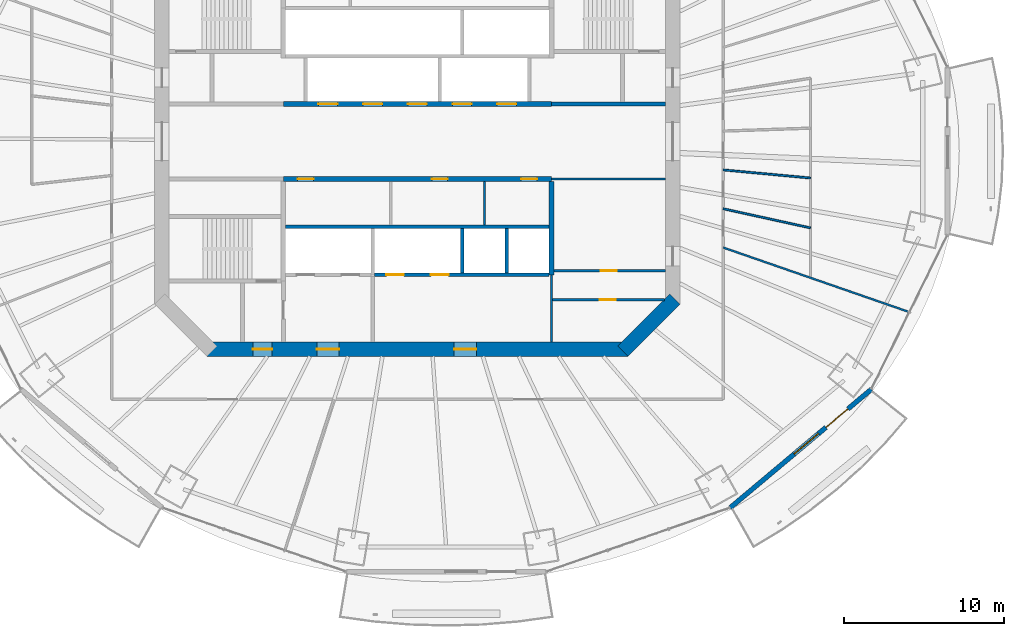
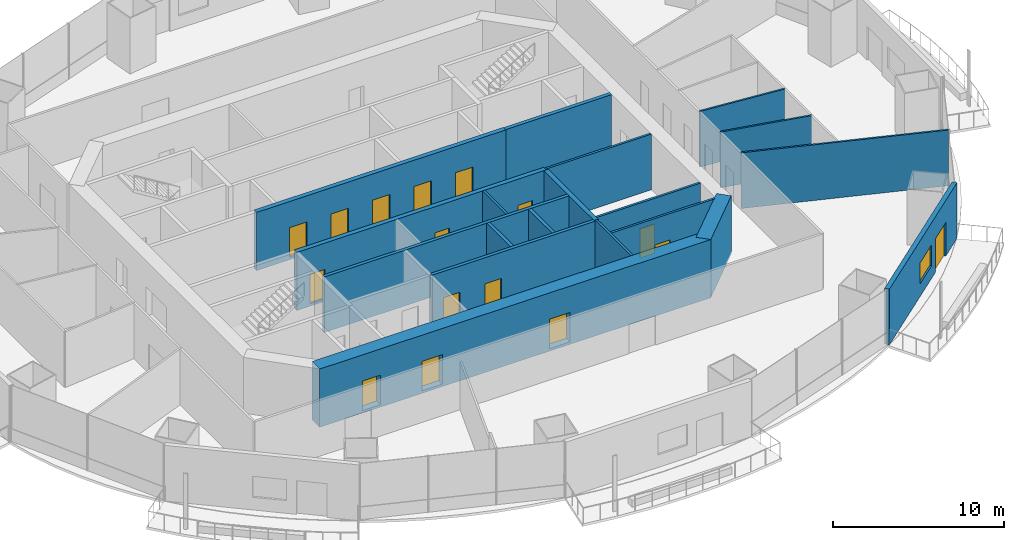
# One storey, part 12 of 20: 19 walls, 16 doors, 1 window, 17 openings.
"""IFC4 building model written with IfcOpenShell, lengths in metres."""

from ifc_helpers import new_model, si_unit, direction, frame, frame_2d, origin, place, context, subcontext, project, spatial, rectangle, extrude, material, layer, layer_set, type_object, element, fill, save


model = new_model("IFC4")

# Units and contexts
model_context = context("Model", 3, precision=1e-05, world=origin(), true_north=direction((0.0, 1.0)))
body_context = subcontext(model_context, "Body", "Model", "MODEL_VIEW")
ifc_project = project(units=[si_unit("LENGTHUNIT", "METRE"), si_unit("AREAUNIT", "SQUARE_METRE"), si_unit("VOLUMEUNIT", "CUBIC_METRE"), si_unit("PLANEANGLEUNIT", "RADIAN"), si_unit("MASSUNIT", "GRAM", prefix="KILO")], contexts=[model_context])

# Site, building, storey
site_placement = place(None, origin())
site = spatial("IfcSite", under=ifc_project, at=site_placement, CompositionType="ELEMENT")
building_placement = place(site_placement, origin())
building = spatial("IfcBuilding", under=site, at=building_placement, Name="Marenthal Gate Tower", CompositionType="ELEMENT")
storey_placement = place(building_placement, frame((0.0, 0.0, 185.949951171875)))
storey = spatial("IfcBuildingStorey", under=building, at=storey_placement, Name="L40", CompositionType="ELEMENT", Elevation=185.949951171875)

# Wall
ifc_material_1 = material(Name="Concrete 60 MPa", Category="concrete")
ifc_layer_1 = layer(ifc_material_1, 0.89990234375)
ifc_layer_set_1 = layer_set([ifc_layer_1], Name="Core shear wall 900")
wall_type_1 = type_object("IfcWallType", Name="Core shear wall 900", PredefinedType="SHEAR", material=ifc_layer_set_1)
wall_1_placement = place(storey_placement, frame((12.8681640625, -13.1318359375, -0.179931640625), z_axis=(0.0, 0.0, 1.0), x_axis=(0.707106781187, 0.707106781187, 0.0)))
element("IfcWall", 1, at=wall_1_placement, inside=storey, type_object=wall_type_1, Name="Core wall 01", PredefinedType="SHEAR", context=body_context, shape_type="SweptSolid", body=[
    extrude(rectangle(XDim=4.615478515625, YDim=0.89990234375, at=frame_2d((2.3076171875, 0.0))), origin(), (0.0, 0.0, 1.0), 4.14990234375),
])

# Wall, openings, doors
wall_2_placement = place(storey_placement, frame((-13.186279296875, -13.0, -0.179931640625), z_axis=(0.0, 0.0, 1.0), x_axis=(1.0, 0.0, 0.0)))
wall_2 = element("IfcWall", 2, at=wall_2_placement, inside=storey, type_object=wall_type_1, Name="Core wall 08", PredefinedType="SHEAR", context=body_context, shape_type="SweptSolid", body=[
    extrude(rectangle(XDim=26.37255859375, YDim=0.89990234375, at=frame_2d((13.186279296875, 0.0))), origin(), (0.0, 0.0, 1.0), 4.14990234375),
])
opening_1_placement = place(wall_2_placement, frame((2.886474609375, 0.0, 0.179931640625)))
opening_1 = element("IfcOpeningElement", 3, at=opening_1_placement, cuts=wall_2, Name="Opening D001.06", PredefinedType="OPENING", context=body_context, shape_type="SweptSolid", body=[
    extrude(rectangle(XDim=1.199951171875, YDim=2.10009765625, at=frame_2d((0.60009765625, 1.050048828125))), frame((0.0, 0.4599609375, 0.0), z_axis=(0.0, -1.0, 0.0), x_axis=(1.0, 0.0, 0.0)), (0.0, 0.0, 1.0), 0.919921875),
])
opening_2_placement = place(wall_2_placement, frame((6.886474609375, 0.0, 0.179931640625)))
opening_2 = element("IfcOpeningElement", 4, at=opening_2_placement, cuts=wall_2, Name="Opening D004.01", PredefinedType="OPENING", context=body_context, shape_type="SweptSolid", body=[
    extrude(rectangle(XDim=1.39990234375, YDim=2.10009765625, at=frame_2d((0.699951171875, 1.050048828125))), frame((0.0, 0.4599609375, 0.0), z_axis=(0.0, -1.0, 0.0), x_axis=(1.0, 0.0, 0.0)), (0.0, 0.0, 1.0), 0.919921875),
])
opening_3_placement = place(wall_2_placement, frame((15.486328125, 0.0, 0.179931640625)))
opening_3 = element("IfcOpeningElement", 5, at=opening_3_placement, cuts=wall_2, Name="Opening D004.02", PredefinedType="OPENING", context=body_context, shape_type="SweptSolid", body=[
    extrude(rectangle(XDim=1.39990234375, YDim=2.10009765625, at=frame_2d((0.699951171875, 1.050048828125))), frame((0.0, 0.4599609375, 0.0), z_axis=(0.0, -1.0, 0.0), x_axis=(1.0, 0.0, 0.0)), (0.0, 0.0, 1.0), 0.919921875),
])
ifc_material_2 = material(Name="Steel fire door", Category="steel")
door_type_1 = type_object("IfcDoorType", Name="Fire door FD 45 1400 x 2100", OperationType="NOTDEFINED", PredefinedType="DOOR", material=ifc_material_2)
door_1_placement = place(opening_2_placement, origin())
door_1 = element("IfcDoor", 6, at=door_1_placement, inside=storey, type_object=door_type_1, Name="Door D004.01", OperationType="SINGLE_SWING_RIGHT", OverallHeight=2.10009765625, OverallWidth=1.39990234375, PredefinedType="DOOR", context=body_context, shape_type="SweptSolid", body=[
    extrude(rectangle(XDim=1.39990234375, YDim=2.10009765625, at=frame_2d((0.699951171875, 1.050048828125))), frame((0.0, 0.02490234375, 0.0), z_axis=(0.0, -1.0, 0.0), x_axis=(1.0, 0.0, 0.0)), (0.0, 0.0, 1.0), 0.050048828125),
])
fill(opening_2, door_1)
door_2_placement = place(opening_3_placement, origin())
door_2 = element("IfcDoor", 7, at=door_2_placement, inside=storey, type_object=door_type_1, Name="Door D004.02", OperationType="SINGLE_SWING_RIGHT", OverallHeight=2.10009765625, OverallWidth=1.39990234375, PredefinedType="DOOR", context=body_context, shape_type="SweptSolid", body=[
    extrude(rectangle(XDim=1.39990234375, YDim=2.10009765625, at=frame_2d((0.699951171875, 1.050048828125))), frame((0.0, 0.02490234375, 0.0), z_axis=(0.0, -1.0, 0.0), x_axis=(1.0, 0.0, 0.0)), (0.0, 0.0, 1.0), 0.050048828125),
])
fill(opening_3, door_2)
ifc_material_3 = material(Name="Steel fire door", Category="steel")
door_type_2 = type_object("IfcDoorType", Name="Fire door FD 90 1200 x 2100", OperationType="NOTDEFINED", PredefinedType="DOOR", material=ifc_material_3)
door_3_placement = place(opening_1_placement, origin())
door_3 = element("IfcDoor", 8, at=door_3_placement, inside=storey, type_object=door_type_2, Name="Door D001.06", OperationType="SINGLE_SWING_RIGHT", OverallHeight=2.10009765625, OverallWidth=1.199951171875, PredefinedType="DOOR", context=body_context, shape_type="SweptSolid", body=[
    extrude(rectangle(XDim=1.199951171875, YDim=2.10009765625, at=frame_2d((0.60009765625, 1.050048828125))), frame((0.0, 0.02490234375, 0.0), z_axis=(0.0, -1.0, 0.0), x_axis=(1.0, 0.0, 0.0)), (0.0, 0.0, 1.0), 0.050048828125),
])
fill(opening_1, door_3)

ifc_material_4 = material(Name="Concrete 50 MPa", Category="concrete")
ifc_layer_2 = layer(ifc_material_4, 0.300048828125)
ifc_layer_set_2 = layer_set([ifc_layer_2], Name="Hoistway shear wall 300")
wall_type_2 = type_object("IfcWallType", Name="Hoistway shear wall 300", PredefinedType="SHEAR", material=ifc_layer_set_2)
wall_3_placement = place(storey_placement, frame((-8.39990234375, -2.35009765625, -0.179931640625), z_axis=(0.0, 0.0, 1.0), x_axis=(1.0, 0.0, 0.0)))
wall_3 = element("IfcWall", 9, at=wall_3_placement, inside=storey, type_object=wall_type_2, Name="Hoistway wall 17", PredefinedType="SHEAR", context=body_context, shape_type="SweptSolid", body=[
    extrude(rectangle(XDim=16.7998046875, YDim=0.300048828125, at=frame_2d((8.39990234375, 0.0))), origin(), (0.0, 0.0, 1.0), 4.14990234375),
])
opening_4_placement = place(wall_3_placement, frame((0.89990234375, 0.0, 0.179931640625)))
opening_4 = element("IfcOpeningElement", 10, at=opening_4_placement, cuts=wall_3, Name="Opening D005.01", PredefinedType="OPENING", context=body_context, shape_type="SweptSolid", body=[
    extrude(rectangle(XDim=1.0, YDim=2.10009765625, at=frame_2d((0.5, 1.050048828125))), frame((0.0, 0.16015625, 0.0), z_axis=(0.0, -1.0, 0.0), x_axis=(1.0, 0.0, 0.0)), (0.0, 0.0, 1.0), 0.320068359375),
])
opening_5_placement = place(wall_3_placement, frame((9.300048828125, 0.0, 0.179931640625)))
opening_5 = element("IfcOpeningElement", 11, at=opening_5_placement, cuts=wall_3, Name="Opening D005.02", PredefinedType="OPENING", context=body_context, shape_type="SweptSolid", body=[
    extrude(rectangle(XDim=1.0, YDim=2.10009765625, at=frame_2d((0.5, 1.050048828125))), frame((0.0, 0.16015625, 0.0), z_axis=(0.0, -1.0, 0.0), x_axis=(1.0, 0.0, 0.0)), (0.0, 0.0, 1.0), 0.320068359375),
])
opening_6_placement = place(wall_3_placement, frame((14.89990234375, 0.0, 0.179931640625)))
opening_6 = element("IfcOpeningElement", 12, at=opening_6_placement, cuts=wall_3, Name="Opening D005.03", PredefinedType="OPENING", context=body_context, shape_type="SweptSolid", body=[
    extrude(rectangle(XDim=1.0, YDim=2.10009765625, at=frame_2d((0.5, 1.050048828125))), frame((0.0, 0.16015625, 0.0), z_axis=(0.0, -1.0, 0.0), x_axis=(1.0, 0.0, 0.0)), (0.0, 0.0, 1.0), 0.320068359375),
])
ifc_material_5 = material(Name="Steel fire door", Category="steel")
door_type_3 = type_object("IfcDoorType", Name="Fire door FD 45 1000 x 2100", OperationType="NOTDEFINED", PredefinedType="DOOR", material=ifc_material_5)
door_4_placement = place(opening_4_placement, frame((1.0, 0.0, 0.0), z_axis=(0.0, 0.0, 1.0), x_axis=(-1.0, 0.0, 0.0)))
door_4 = element("IfcDoor", 13, at=door_4_placement, inside=storey, type_object=door_type_3, Name="Door D005.01", OperationType="SINGLE_SWING_LEFT", OverallHeight=2.10009765625, OverallWidth=1.0, PredefinedType="DOOR", context=body_context, shape_type="SweptSolid", body=[
    extrude(rectangle(XDim=1.0, YDim=2.10009765625, at=frame_2d((0.5, 1.050048828125))), frame((0.0, 0.02490234375, 0.0), z_axis=(0.0, -1.0, 0.0), x_axis=(1.0, 0.0, 0.0)), (0.0, 0.0, 1.0), 0.050048828125),
])
fill(opening_4, door_4)
door_5_placement = place(opening_5_placement, frame((1.0, 0.0, 0.0), z_axis=(0.0, 0.0, 1.0), x_axis=(-1.0, 0.0, 0.0)))
door_5 = element("IfcDoor", 14, at=door_5_placement, inside=storey, type_object=door_type_3, Name="Door D005.02", OperationType="SINGLE_SWING_LEFT", OverallHeight=2.10009765625, OverallWidth=1.0, PredefinedType="DOOR", context=body_context, shape_type="SweptSolid", body=[
    extrude(rectangle(XDim=1.0, YDim=2.10009765625, at=frame_2d((0.5, 1.050048828125))), frame((0.0, 0.02490234375, 0.0), z_axis=(0.0, -1.0, 0.0), x_axis=(1.0, 0.0, 0.0)), (0.0, 0.0, 1.0), 0.050048828125),
])
fill(opening_5, door_5)
door_6_placement = place(opening_6_placement, frame((1.0, 0.0, 0.0), z_axis=(0.0, 0.0, 1.0), x_axis=(-1.0, 0.0, 0.0)))
door_6 = element("IfcDoor", 15, at=door_6_placement, inside=storey, type_object=door_type_3, Name="Door D005.03", OperationType="SINGLE_SWING_LEFT", OverallHeight=2.10009765625, OverallWidth=1.0, PredefinedType="DOOR", context=body_context, shape_type="SweptSolid", body=[
    extrude(rectangle(XDim=1.0, YDim=2.10009765625, at=frame_2d((0.5, 1.050048828125))), frame((0.0, 0.02490234375, 0.0), z_axis=(0.0, -1.0, 0.0), x_axis=(1.0, 0.0, 0.0)), (0.0, 0.0, 1.0), 0.050048828125),
])
fill(opening_6, door_6)

wall_4_placement = place(storey_placement, frame((-8.39990234375, 2.35009765625, -0.179931640625), z_axis=(0.0, 0.0, 1.0), x_axis=(1.0, 0.0, 0.0)))
wall_4 = element("IfcWall", 16, at=wall_4_placement, inside=storey, type_object=wall_type_2, Name="Hoistway wall 20", PredefinedType="SHEAR", context=body_context, shape_type="SweptSolid", body=[
    extrude(rectangle(XDim=16.7998046875, YDim=0.300048828125, at=frame_2d((8.39990234375, 0.0))), origin(), (0.0, 0.0, 1.0), 4.14990234375),
])
opening_7_placement = place(wall_4_placement, frame((2.199951171875, 0.0, 0.179931640625)))
opening_7 = element("IfcOpeningElement", 17, at=opening_7_placement, cuts=wall_4, Name="Opening LD-MP1", PredefinedType="OPENING", context=body_context, shape_type="SweptSolid", body=[
    extrude(rectangle(XDim=1.199951171875, YDim=2.10009765625, at=frame_2d((0.60009765625, 1.050048828125))), frame((0.0, 0.16015625, 0.0), z_axis=(0.0, -1.0, 0.0), x_axis=(1.0, 0.0, 0.0)), (0.0, 0.0, 1.0), 0.320068359375),
])
opening_8_placement = place(wall_4_placement, frame((5.0, 0.0, 0.179931640625)))
opening_8 = element("IfcOpeningElement", 18, at=opening_8_placement, cuts=wall_4, Name="Opening LD-MP2", PredefinedType="OPENING", context=body_context, shape_type="SweptSolid", body=[
    extrude(rectangle(XDim=1.199951171875, YDim=2.10009765625, at=frame_2d((0.60009765625, 1.050048828125))), frame((0.0, 0.16015625, 0.0), z_axis=(0.0, -1.0, 0.0), x_axis=(1.0, 0.0, 0.0)), (0.0, 0.0, 1.0), 0.320068359375),
])
opening_9_placement = place(wall_4_placement, frame((7.800048828125, 0.0, 0.179931640625)))
opening_9 = element("IfcOpeningElement", 19, at=opening_9_placement, cuts=wall_4, Name="Opening LD-MP3", PredefinedType="OPENING", context=body_context, shape_type="SweptSolid", body=[
    extrude(rectangle(XDim=1.199951171875, YDim=2.10009765625, at=frame_2d((0.60009765625, 1.050048828125))), frame((0.0, 0.16015625, 0.0), z_axis=(0.0, -1.0, 0.0), x_axis=(1.0, 0.0, 0.0)), (0.0, 0.0, 1.0), 0.320068359375),
])
opening_10_placement = place(wall_4_placement, frame((10.60009765625, 0.0, 0.179931640625)))
opening_10 = element("IfcOpeningElement", 20, at=opening_10_placement, cuts=wall_4, Name="Opening LD-MP4", PredefinedType="OPENING", context=body_context, shape_type="SweptSolid", body=[
    extrude(rectangle(XDim=1.199951171875, YDim=2.10009765625, at=frame_2d((0.60009765625, 1.050048828125))), frame((0.0, 0.16015625, 0.0), z_axis=(0.0, -1.0, 0.0), x_axis=(1.0, 0.0, 0.0)), (0.0, 0.0, 1.0), 0.320068359375),
])
opening_11_placement = place(wall_4_placement, frame((13.39990234375, 0.0, 0.179931640625)))
opening_11 = element("IfcOpeningElement", 21, at=opening_11_placement, cuts=wall_4, Name="Opening LD-MP5", PredefinedType="OPENING", context=body_context, shape_type="SweptSolid", body=[
    extrude(rectangle(XDim=1.199951171875, YDim=2.10009765625, at=frame_2d((0.60009765625, 1.050048828125))), frame((0.0, 0.16015625, 0.0), z_axis=(0.0, -1.0, 0.0), x_axis=(1.0, 0.0, 0.0)), (0.0, 0.0, 1.0), 0.320068359375),
])
ifc_material_6 = material(Name="Stainless steel sliding door", Category="steel")
door_type_4 = type_object("IfcDoorType", Name="Lift landing door FD 90 1200 x 2100", OperationType="DOUBLE_DOOR_SLIDING", PredefinedType="DOOR", material=ifc_material_6)
door_7_placement = place(opening_7_placement, origin())
door_7 = element("IfcDoor", 22, at=door_7_placement, inside=storey, type_object=door_type_4, Name="Lift landing door MP1", OperationType="DOUBLE_DOOR_SLIDING", OverallHeight=2.10009765625, OverallWidth=1.199951171875, PredefinedType="DOOR", context=body_context, shape_type="SweptSolid", body=[
    extrude(rectangle(XDim=1.199951171875, YDim=2.10009765625, at=frame_2d((0.60009765625, 1.050048828125))), frame((0.0, 0.02490234375, 0.0), z_axis=(0.0, -1.0, 0.0), x_axis=(1.0, 0.0, 0.0)), (0.0, 0.0, 1.0), 0.050048828125),
])
fill(opening_7, door_7)
door_8_placement = place(opening_8_placement, origin())
door_8 = element("IfcDoor", 23, at=door_8_placement, inside=storey, type_object=door_type_4, Name="Lift landing door MP2", OperationType="DOUBLE_DOOR_SLIDING", OverallHeight=2.10009765625, OverallWidth=1.199951171875, PredefinedType="DOOR", context=body_context, shape_type="SweptSolid", body=[
    extrude(rectangle(XDim=1.199951171875, YDim=2.10009765625, at=frame_2d((0.60009765625, 1.050048828125))), frame((0.0, 0.02490234375, 0.0), z_axis=(0.0, -1.0, 0.0), x_axis=(1.0, 0.0, 0.0)), (0.0, 0.0, 1.0), 0.050048828125),
])
fill(opening_8, door_8)
door_9_placement = place(opening_9_placement, origin())
door_9 = element("IfcDoor", 24, at=door_9_placement, inside=storey, type_object=door_type_4, Name="Lift landing door MP3", OperationType="DOUBLE_DOOR_SLIDING", OverallHeight=2.10009765625, OverallWidth=1.199951171875, PredefinedType="DOOR", context=body_context, shape_type="SweptSolid", body=[
    extrude(rectangle(XDim=1.199951171875, YDim=2.10009765625, at=frame_2d((0.60009765625, 1.050048828125))), frame((0.0, 0.02490234375, 0.0), z_axis=(0.0, -1.0, 0.0), x_axis=(1.0, 0.0, 0.0)), (0.0, 0.0, 1.0), 0.050048828125),
])
fill(opening_9, door_9)
door_10_placement = place(opening_10_placement, origin())
door_10 = element("IfcDoor", 25, at=door_10_placement, inside=storey, type_object=door_type_4, Name="Lift landing door MP4", OperationType="DOUBLE_DOOR_SLIDING", OverallHeight=2.10009765625, OverallWidth=1.199951171875, PredefinedType="DOOR", context=body_context, shape_type="SweptSolid", body=[
    extrude(rectangle(XDim=1.199951171875, YDim=2.10009765625, at=frame_2d((0.60009765625, 1.050048828125))), frame((0.0, 0.02490234375, 0.0), z_axis=(0.0, -1.0, 0.0), x_axis=(1.0, 0.0, 0.0)), (0.0, 0.0, 1.0), 0.050048828125),
])
fill(opening_10, door_10)
door_11_placement = place(opening_11_placement, origin())
door_11 = element("IfcDoor", 26, at=door_11_placement, inside=storey, type_object=door_type_4, Name="Lift landing door MP5", OperationType="DOUBLE_DOOR_SLIDING", OverallHeight=2.10009765625, OverallWidth=1.199951171875, PredefinedType="DOOR", context=body_context, shape_type="SweptSolid", body=[
    extrude(rectangle(XDim=1.199951171875, YDim=2.10009765625, at=frame_2d((0.60009765625, 1.050048828125))), frame((0.0, 0.02490234375, 0.0), z_axis=(0.0, -1.0, 0.0), x_axis=(1.0, 0.0, 0.0)), (0.0, 0.0, 1.0), 0.050048828125),
])
fill(opening_11, door_11)

# Wall
wall_5_placement = place(storey_placement, frame((8.39990234375, -8.35009765625, -0.179931640625), z_axis=(0.0, 0.0, 1.0), x_axis=(0.0, 1.0, 0.0)))
element("IfcWall", 27, at=wall_5_placement, inside=storey, type_object=wall_type_2, Name="Hoistway wall 46", PredefinedType="SHEAR", context=body_context, shape_type="SweptSolid", body=[
    extrude(rectangle(XDim=5.85009765625, YDim=0.300048828125, at=frame_2d((2.925048828125, 0.0))), origin(), (0.0, 0.0, 1.0), 4.14990234375),
])

# Wall, openings, doors
ifc_material_7 = material(Name="Concrete 40 MPa", Category="concrete")
ifc_layer_3 = layer(ifc_material_7, 0.219970703125)
ifc_layer_set_3 = layer_set([ifc_layer_3], Name="Hoistway wall 220")
wall_type_3 = type_object("IfcWallType", Name="Hoistway wall 220", PredefinedType="STANDARD", material=ifc_layer_set_3)
wall_6_placement = place(storey_placement, frame((-2.68994140625, -8.35009765625, 0.0), z_axis=(0.0, 0.0, 1.0), x_axis=(1.0, 0.0, 0.0)))
wall_6 = element("IfcWall", 28, at=wall_6_placement, inside=storey, type_object=wall_type_3, Name="Hoistway wall 12", PredefinedType="STANDARD", context=body_context, shape_type="SweptSolid", body=[
    extrude(rectangle(XDim=10.93994140625, YDim=0.219970703125, at=frame_2d((5.469970703125, 0.0))), origin(), (0.0, 0.0, 1.0), 3.969970703125),
])
opening_12_placement = place(wall_6_placement, frame((0.739990234375, 0.0, 0.0)))
opening_12 = element("IfcOpeningElement", 29, at=opening_12_placement, cuts=wall_6, Name="Opening LD-SV1", PredefinedType="OPENING", context=body_context, shape_type="SweptSolid", body=[
    extrude(rectangle(XDim=1.10009765625, YDim=2.10009765625, at=frame_2d((0.550048828125, 1.050048828125))), frame((0.0, 0.1201171875, 0.0), z_axis=(0.0, -1.0, 0.0), x_axis=(1.0, 0.0, 0.0)), (0.0, 0.0, 1.0), 0.239990234375),
])
opening_13_placement = place(wall_6_placement, frame((3.5400390625, 0.0, 0.0)))
opening_13 = element("IfcOpeningElement", 30, at=opening_13_placement, cuts=wall_6, Name="Opening LD-SV2", PredefinedType="OPENING", context=body_context, shape_type="SweptSolid", body=[
    extrude(rectangle(XDim=1.10009765625, YDim=2.10009765625, at=frame_2d((0.550048828125, 1.050048828125))), frame((0.0, 0.1201171875, 0.0), z_axis=(0.0, -1.0, 0.0), x_axis=(1.0, 0.0, 0.0)), (0.0, 0.0, 1.0), 0.239990234375),
])
ifc_material_8 = material(Name="Stainless steel sliding door", Category="steel")
door_type_5 = type_object("IfcDoorType", Name="Lift landing door FD 90 1100 x 2100", OperationType="DOUBLE_DOOR_SLIDING", PredefinedType="DOOR", material=ifc_material_8)
door_12_placement = place(opening_12_placement, origin())
door_12 = element("IfcDoor", 31, at=door_12_placement, inside=storey, type_object=door_type_5, Name="Lift landing door SV1", OperationType="DOUBLE_DOOR_SLIDING", OverallHeight=2.10009765625, OverallWidth=1.10009765625, PredefinedType="DOOR", context=body_context, shape_type="SweptSolid", body=[
    extrude(rectangle(XDim=1.10009765625, YDim=2.10009765625, at=frame_2d((0.550048828125, 1.050048828125))), frame((0.0, 0.02490234375, 0.0), z_axis=(0.0, -1.0, 0.0), x_axis=(1.0, 0.0, 0.0)), (0.0, 0.0, 1.0), 0.050048828125),
])
fill(opening_12, door_12)
door_13_placement = place(opening_13_placement, origin())
door_13 = element("IfcDoor", 32, at=door_13_placement, inside=storey, type_object=door_type_5, Name="Lift landing door SV2", OperationType="DOUBLE_DOOR_SLIDING", OverallHeight=2.10009765625, OverallWidth=1.10009765625, PredefinedType="DOOR", context=body_context, shape_type="SweptSolid", body=[
    extrude(rectangle(XDim=1.10009765625, YDim=2.10009765625, at=frame_2d((0.550048828125, 1.050048828125))), frame((0.0, 0.02490234375, 0.0), z_axis=(0.0, -1.0, 0.0), x_axis=(1.0, 0.0, 0.0)), (0.0, 0.0, 1.0), 0.050048828125),
])
fill(opening_13, door_13)

# Walls
wall_7_placement = place(storey_placement, frame((-8.25, -5.35009765625, 0.0), z_axis=(0.0, 0.0, 1.0), x_axis=(1.0, 0.0, 0.0)))
element("IfcWall", 33, at=wall_7_placement, inside=storey, type_object=wall_type_3, Name="Hoistway wall 14", PredefinedType="STANDARD", context=body_context, shape_type="SweptSolid", body=[
    extrude(rectangle(XDim=16.5, YDim=0.219970703125, at=frame_2d((8.25, 0.0))), origin(), (0.0, 0.0, 1.0), 3.969970703125),
])
for number, where, z_axis, x_axis, name in (
    (34, (2.800048828125, -8.239990234375, 0.0), (0.0, 0.0, 1.0), (0.0, 1.0, 0.0), "Hoistway wall 40"),
    (35, (5.60009765625, -8.239990234375, 0.0), (0.0, 0.0, 1.0), (0.0, 1.0, 0.0), "Hoistway wall 43"),
):
    element("IfcWall", number, at=place(storey_placement, frame(where, z_axis=z_axis, x_axis=x_axis)), inside=storey, type_object=wall_type_3, Name=name, PredefinedType="STANDARD", context=body_context, shape_type="SweptSolid", body=[
        extrude(rectangle(XDim=2.780029296875, YDim=0.219970703125, at=frame_2d((1.39013671875, 0.0))), origin(), (0.0, 0.0, 1.0), 3.969970703125),
    ])
ifc_material_9 = material(Name="Gypsum board on steel studs", Category="steel")
ifc_layer_4 = layer(ifc_material_9, 0.1201171875)
ifc_layer_set_4 = layer_set([ifc_layer_4], Name="Partition 120")
wall_type_4 = type_object("IfcWallType", Name="Partition 120", PredefinedType="PARTITIONING", material=ifc_layer_set_4)
wall_8_placement = place(storey_placement, frame((19.14990234375, -6.639404296875, 0.0), z_axis=(0.0, 0.0, 1.0), x_axis=(0.944824605936, -0.327576653652, 0.0)))
element("IfcWall", 36, at=wall_8_placement, inside=storey, type_object=wall_type_4, Name="Partition wall 63", PredefinedType="PARTITIONING", context=body_context, shape_type="SweptSolid", body=[
    extrude(rectangle(XDim=12.340576171875, YDim=0.1201171875, at=frame_2d((6.17041015625, 0.0))), origin(), (0.0, 0.0, 1.0), 3.969970703125),
])
wall_9_placement = place(storey_placement, frame((24.61865234375, -5.41064453125, 0.0), z_axis=(0.0, 0.0, 1.0), x_axis=(-0.976690192817, 0.214653831216, 0.0)))
element("IfcWall", 37, at=wall_9_placement, inside=storey, type_object=wall_type_4, Name="Partition wall 67", PredefinedType="PARTITIONING", context=body_context, shape_type="SweptSolid", body=[
    extrude(rectangle(XDim=5.599365234375, YDim=0.1201171875, at=frame_2d((2.7998046875, 0.0))), origin(), (0.0, 0.0, 1.0), 3.969970703125),
])
wall_10_placement = place(storey_placement, frame((24.61865234375, -2.285888671875, 0.0), z_axis=(0.0, 0.0, 1.0), x_axis=(-0.995720548073, 0.092415313368, 0.0)))
element("IfcWall", 38, at=wall_10_placement, inside=storey, type_object=wall_type_4, Name="Partition wall 68", PredefinedType="PARTITIONING", context=body_context, shape_type="SweptSolid", body=[
    extrude(rectangle(XDim=5.4921875, YDim=0.1201171875, at=frame_2d((2.74609375, 0.0))), origin(), (0.0, 0.0, 1.0), 3.969970703125),
])

# Wall, opening, door
ifc_material_10 = material(Name="Gypsum board on steel studs", Category="steel")
ifc_layer_5 = layer(ifc_material_10, 0.14990234375)
ifc_layer_set_5 = layer_set([ifc_layer_5], Name="Partition 150")
wall_type_5 = type_object("IfcWallType", Name="Partition 150", PredefinedType="PARTITIONING", material=ifc_layer_set_5)
wall_11_placement = place(storey_placement, frame((8.47509765625, -9.89990234375, 0.0), z_axis=(0.0, 0.0, 1.0), x_axis=(1.0, 0.0, 0.0)))
wall_11 = element("IfcWall", 39, at=wall_11_placement, inside=storey, type_object=wall_type_5, Name="Partition wall 09", PredefinedType="PARTITIONING", context=body_context, shape_type="SweptSolid", body=[
    extrude(rectangle(XDim=6.988525390625, YDim=0.14990234375, at=frame_2d((3.494140625, 0.0))), origin(), (0.0, 0.0, 1.0), 3.969970703125),
])
opening_14_placement = place(wall_11_placement, frame((2.956787109375, 0.0, 0.0)))
opening_14 = element("IfcOpeningElement", 40, at=opening_14_placement, cuts=wall_11, Name="Opening D005.07", PredefinedType="OPENING", context=body_context, shape_type="SweptSolid", body=[
    extrude(rectangle(XDim=1.0, YDim=2.10009765625, at=frame_2d((0.5, 1.050048828125))), frame((0.0, 0.0849609375, 0.0), z_axis=(0.0, -1.0, 0.0), x_axis=(1.0, 0.0, 0.0)), (0.0, 0.0, 1.0), 0.169921875),
])
door_14_placement = place(opening_14_placement, frame((1.0, 0.0, 0.0), z_axis=(0.0, 0.0, 1.0), x_axis=(-1.0, 0.0, 0.0)))
door_14 = element("IfcDoor", 41, at=door_14_placement, inside=storey, type_object=door_type_3, Name="Door D005.07", OperationType="SINGLE_SWING_LEFT", OverallHeight=2.10009765625, OverallWidth=1.0, PredefinedType="DOOR", context=body_context, shape_type="SweptSolid", body=[
    extrude(rectangle(XDim=1.0, YDim=2.10009765625, at=frame_2d((0.5, 1.050048828125))), frame((0.0, 0.02490234375, 0.0), z_axis=(0.0, -1.0, 0.0), x_axis=(1.0, 0.0, 0.0)), (0.0, 0.0, 1.0), 0.050048828125),
])
fill(opening_14, door_14)

wall_12_placement = place(storey_placement, frame((8.550048828125, -8.10009765625, 0.0), z_axis=(0.0, 0.0, 1.0), x_axis=(1.0, 0.0, 0.0)))
wall_12 = element("IfcWall", 42, at=wall_12_placement, inside=storey, type_object=wall_type_5, Name="Partition wall 13", PredefinedType="PARTITIONING", context=body_context, shape_type="SweptSolid", body=[
    extrude(rectangle(XDim=7.0, YDim=0.14990234375, at=frame_2d((3.5, 0.0))), origin(), (0.0, 0.0, 1.0), 3.969970703125),
])
opening_15_placement = place(wall_12_placement, frame((2.925048828125, 0.0, 0.0)))
opening_15 = element("IfcOpeningElement", 43, at=opening_15_placement, cuts=wall_12, Name="Opening D005.06", PredefinedType="OPENING", context=body_context, shape_type="SweptSolid", body=[
    extrude(rectangle(XDim=1.0, YDim=2.10009765625, at=frame_2d((0.5, 1.050048828125))), frame((0.0, 0.0849609375, 0.0), z_axis=(0.0, -1.0, 0.0), x_axis=(1.0, 0.0, 0.0)), (0.0, 0.0, 1.0), 0.169921875),
])
door_15_placement = place(opening_15_placement, origin())
door_15 = element("IfcDoor", 44, at=door_15_placement, inside=storey, type_object=door_type_3, Name="Door D005.06", OperationType="SINGLE_SWING_RIGHT", OverallHeight=2.10009765625, OverallWidth=1.0, PredefinedType="DOOR", context=body_context, shape_type="SweptSolid", body=[
    extrude(rectangle(XDim=1.0, YDim=2.10009765625, at=frame_2d((0.5, 1.050048828125))), frame((0.0, 0.02490234375, 0.0), z_axis=(0.0, -1.0, 0.0), x_axis=(1.0, 0.0, 0.0)), (0.0, 0.0, 1.0), 0.050048828125),
])
fill(opening_15, door_15)

# Walls
wall_13_placement = place(storey_placement, frame((8.39990234375, -2.35009765625, 0.0), z_axis=(0.0, 0.0, 1.0), x_axis=(1.0, 0.0, 0.0)))
element("IfcWall", 45, at=wall_13_placement, inside=storey, type_object=wall_type_5, Name="Partition wall 18", PredefinedType="PARTITIONING", context=body_context, shape_type="SweptSolid", body=[
    extrude(rectangle(XDim=7.150146484375, YDim=0.14990234375, at=frame_2d((3.5751953125, 0.0))), origin(), (0.0, 0.0, 1.0), 3.969970703125),
])
wall_14_placement = place(storey_placement, frame((4.199951171875, -5.239990234375, 0.0), z_axis=(0.0, 0.0, 1.0), x_axis=(0.0, 1.0, 0.0)))
element("IfcWall", 46, at=wall_14_placement, inside=storey, type_object=wall_type_5, Name="Partition wall 42", PredefinedType="PARTITIONING", context=body_context, shape_type="SweptSolid", body=[
    extrude(rectangle(XDim=2.739990234375, YDim=0.14990234375, at=frame_2d((1.3701171875, 0.0))), origin(), (0.0, 0.0, 1.0), 3.969970703125),
])
wall_15_placement = place(storey_placement, frame((8.39990234375, -12.550048828125, 0.0), z_axis=(0.0, 0.0, 1.0), x_axis=(0.0, 1.0, 0.0)))
element("IfcWall", 47, at=wall_15_placement, inside=storey, type_object=wall_type_5, Name="Partition wall 45", PredefinedType="PARTITIONING", context=body_context, shape_type="SweptSolid", body=[
    extrude(rectangle(XDim=4.199951171875, YDim=0.14990234375, at=frame_2d((2.10009765625, 0.0))), origin(), (0.0, 0.0, 1.0), 3.969970703125),
])
ifc_material_11 = material(Name="Concrete 40 MPa", Category="concrete")
ifc_layer_6 = layer(ifc_material_11, 0.25)
ifc_layer_set_6 = layer_set([ifc_layer_6], Name="Stair enclosure wall 250")
wall_type_6 = type_object("IfcWallType", Name="Stair enclosure wall 250", PredefinedType="STANDARD", material=ifc_layer_set_6)
wall_16_placement = place(storey_placement, frame((8.39990234375, 2.35009765625, 0.0), z_axis=(0.0, 0.0, 1.0), x_axis=(1.0, 0.0, 0.0)))
element("IfcWall", 48, at=wall_16_placement, inside=storey, type_object=wall_type_6, Name="Stair wall 21", PredefinedType="STANDARD", context=body_context, shape_type="SweptSolid", body=[
    extrude(rectangle(XDim=7.150146484375, YDim=0.25, at=frame_2d((3.5751953125, 0.0))), origin(), (0.0, 0.0, 1.0), 3.969970703125),
])

# Wall, openings, door, window
ifc_material_12 = material(Name="Terracotta cladding on insulated concrete-block backing", Category="masonry")
ifc_layer_7 = layer(ifc_material_12, 0.300048828125)
ifc_layer_set_7 = layer_set([ifc_layer_7], Name="Terracotta facade wall 300")
wall_type_7 = type_object("IfcWallType", Name="Terracotta facade wall 300", PredefinedType="SOLIDWALL", material=ifc_layer_set_7)
wall_17_placement = place(storey_placement, frame((19.586669921875, -22.93408203125, 0.0), z_axis=(0.0, 0.0, 1.0), x_axis=(0.766073485726, 0.642752996468, 0.0)))
wall_17 = element("IfcWall", 49, at=wall_17_placement, inside=storey, type_object=wall_type_7, Name="Terracotta facade wall L40 bay 14", PredefinedType="SOLIDWALL", context=body_context, shape_type="SweptSolid", body=[
    extrude(rectangle(XDim=11.530029296875, YDim=0.300048828125, at=frame_2d((5.76513671875, 0.0))), origin(), (0.0, 0.0, 1.0), 3.969970703125),
])
opening_16_placement = place(wall_17_placement, frame((7.830078125, 0.0, 0.0)))
opening_16 = element("IfcOpeningElement", 50, at=opening_16_placement, cuts=wall_17, Name="Opening BD-L40-14", PredefinedType="OPENING", context=body_context, shape_type="SweptSolid", body=[
    extrude(rectangle(XDim=1.800048828125, YDim=2.39990234375, at=frame_2d((0.89990234375, 1.199951171875))), frame((0.0, 0.16015625, 0.0), z_axis=(0.0, -1.0, 0.0), x_axis=(1.0, 0.0, 0.0)), (0.0, 0.0, 1.0), 0.320068359375),
])
opening_17_placement = place(wall_17_placement, frame((5.22998046875, 0.0, 0.89990234375)))
opening_17 = element("IfcOpeningElement", 51, at=opening_17_placement, cuts=wall_17, Name="Opening WN2-L40-14", PredefinedType="OPENING", context=body_context, shape_type="SweptSolid", body=[
    extrude(rectangle(XDim=2.0, YDim=1.5, at=frame_2d((1.0, 0.75))), frame((0.0, 0.16015625, 0.0), z_axis=(0.0, -1.0, 0.0), x_axis=(1.0, 0.0, 0.0)), (0.0, 0.0, 1.0), 0.320068359375),
])
ifc_material_13 = material(Name="Aluminium and glass", Category="aluminium")
door_type_6 = type_object("IfcDoorType", Name="Balcony door 1800x2400", OperationType="DOUBLE_DOOR_SINGLE_SWING", PredefinedType="DOOR", material=ifc_material_13)
door_16_placement = place(opening_16_placement, origin())
door_16 = element("IfcDoor", 52, at=door_16_placement, inside=storey, type_object=door_type_6, Name="Balcony door L40 bay 14", OperationType="SINGLE_SWING_LEFT", OverallHeight=2.39990234375, OverallWidth=1.800048828125, PredefinedType="DOOR", context=body_context, shape_type="SweptSolid", body=[
    extrude(rectangle(XDim=1.800048828125, YDim=2.39990234375, at=frame_2d((0.89990234375, 1.199951171875))), frame((0.0, 0.02490234375, 0.0), z_axis=(0.0, -1.0, 0.0), x_axis=(1.0, 0.0, 0.0)), (0.0, 0.0, 1.0), 0.050048828125),
])
fill(opening_16, door_16)
ifc_material_14 = material(Name="Aluminium and glass", Category="aluminium")
window_type = type_object("IfcWindowType", Name="Window 2000x1500", PartitioningType="DOUBLE_PANEL_VERTICAL", PredefinedType="WINDOW", material=ifc_material_14)
window_placement = place(opening_17_placement, origin())
window = element("IfcWindow", 53, at=window_placement, inside=storey, type_object=window_type, Name="Window L40 bay 14", OverallHeight=1.5, OverallWidth=2.0, PartitioningType="SINGLE_PANEL", PredefinedType="WINDOW", context=body_context, shape_type="SweptSolid", body=[
    extrude(rectangle(XDim=2.0, YDim=1.5, at=frame_2d((1.0, 0.75))), frame((0.0, 0.030029296875, 0.0), z_axis=(0.0, -1.0, 0.0), x_axis=(1.0, 0.0, 0.0)), (0.0, 0.0, 1.0), 0.06005859375),
])
fill(opening_17, window)

save(model, "model.ifc")
